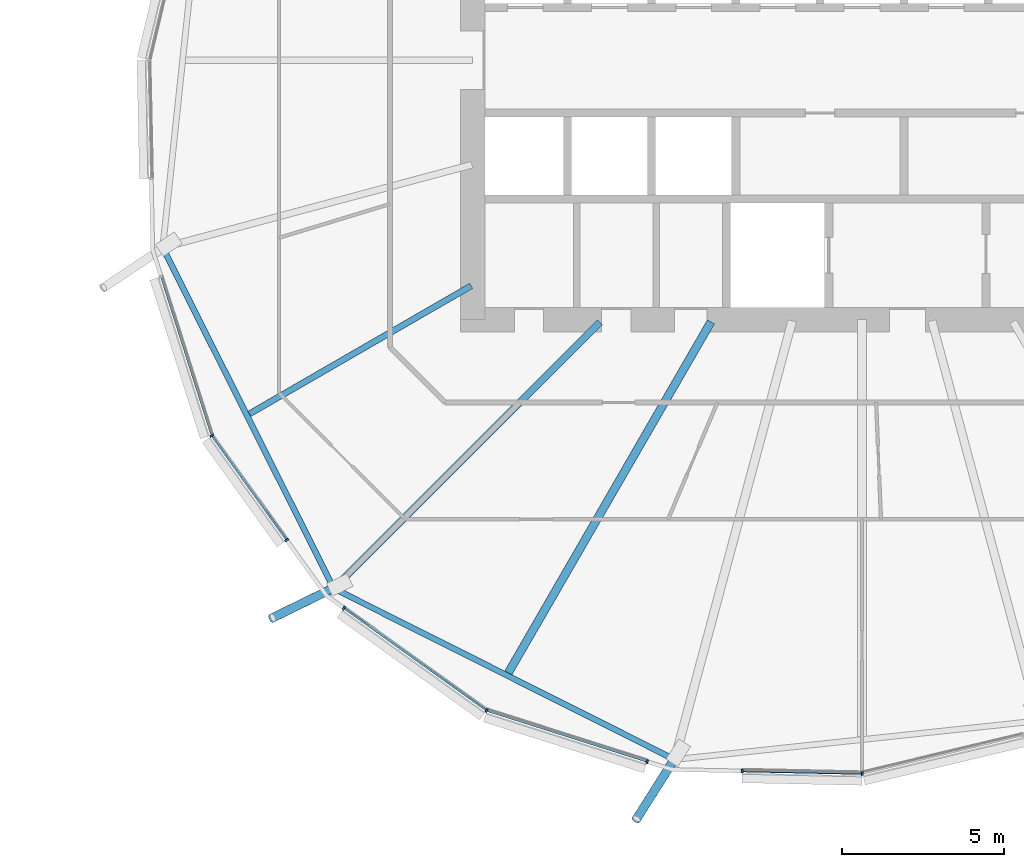
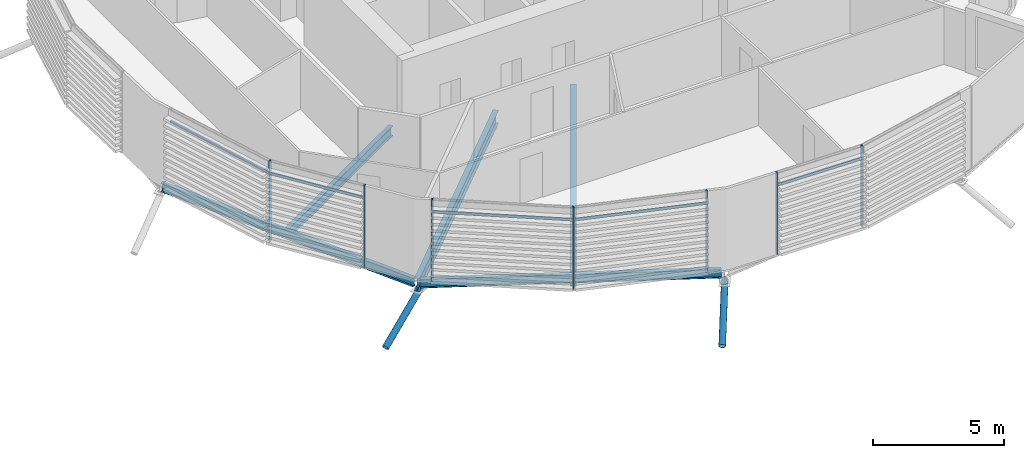
# One storey, part 12 of 38: 14 members, 5 beams, 1 element without a shape of its own.
"""IFC4 building model written with IfcOpenShell, lengths in metres."""

from ifc_helpers import new_model, si_unit, direction, frame, origin, origin_2d, place, context, subcontext, project, spatial, rectangle, hollow_circle, i_section, extrude, clip, halfspace, material, material_profile, profile_set, type_object, element, aggregate, save


model = new_model("IFC4")

# Units and contexts
model_context = context("Model", 3, precision=1e-05, world=origin(), true_north=direction((0.0, 1.0)))
body_context = subcontext(model_context, "Body", "Model", "MODEL_VIEW")
ifc_project = project(units=[si_unit("LENGTHUNIT", "METRE"), si_unit("AREAUNIT", "SQUARE_METRE"), si_unit("VOLUMEUNIT", "CUBIC_METRE"), si_unit("PLANEANGLEUNIT", "RADIAN"), si_unit("MASSUNIT", "GRAM", prefix="KILO")], contexts=[model_context])

# Site, building, storey
site_placement = place(None, origin())
site = spatial("IfcSite", under=ifc_project, at=site_placement, CompositionType="ELEMENT")
building_placement = place(site_placement, origin())
building = spatial("IfcBuilding", under=site, at=building_placement, Name="Rimbun Link Towers", CompositionType="ELEMENT")
storey_placement = place(building_placement, frame((0.0, 0.0, 108.199951171875)))
storey = spatial("IfcBuildingStorey", under=building, at=storey_placement, Name="L26", CompositionType="ELEMENT", Elevation=108.199951171875)

# Curtain wall, members
ifc_material_1 = material(Name="Aluminium 6063-T6 and low-iron glass", Category="aluminium")
curtain_wall_type = type_object("IfcCurtainWallType", Name="CW1-Z2 unitised vision wall (zone 2)", PredefinedType="NOTDEFINED", material=ifc_material_1)
curtain_wall_placement = place(storey_placement, origin())
curtain_wall = element("IfcCurtainWall", 1, at=curtain_wall_placement, inside=storey, type_object=curtain_wall_type, Name="CW1 L26 T2", PredefinedType="NOTDEFINED")
ifc_material_2 = material(Name="Aluminium 6063-T6", Category="aluminium")
ifc_material_profile_1 = material_profile(ifc_material_2, rectangle(XDim=0.1201171875, YDim=0.06005859375, at=origin_2d()), Name="MULLION 60X120")
ifc_profile_set_1 = profile_set([ifc_material_profile_1], Name="Aluminium 6063-T6")
member_type_1 = type_object("IfcMemberType", Name="CW1 mullion 60X120", PredefinedType="MULLION", material=ifc_profile_set_1)
member_1_placement = place(storey_placement, frame((11.70263671875, -11.5703125, 0.0), z_axis=(0.0, 0.0, 1.0), x_axis=(-0.893748959364, -0.448567495073, 0.0)))
member_1 = element("IfcMember", 2, at=member_1_placement, type_object=member_type_1, Name="CW1 mullion", PredefinedType="MULLION", context=body_context, shape_type="SweptSolid", body=[
    extrude(rectangle(XDim=0.1201171875, YDim=0.06005859375, at=origin_2d()), origin(), (0.0, 0.0, 1.0), 3.800048828125),
])
member_2_placement = place(storey_placement, frame((14.013671875, -14.7919921875, 0.0), z_axis=(0.0, 0.0, 1.0), x_axis=(-0.812467340473, -0.583006707221, 0.0)))
member_2 = element("IfcMember", 3, at=member_2_placement, type_object=member_type_1, Name="CW1 mullion", PredefinedType="MULLION", context=body_context, shape_type="SweptSolid", body=[
    extrude(rectangle(XDim=0.1201171875, YDim=0.06005859375, at=origin_2d()), origin(), (0.0, 0.0, 1.0), 3.800048828125),
])
member_3_placement = place(storey_placement, frame((20.1796875, -20.04736328125, 0.0), z_axis=(0.0, 0.0, 1.0), x_axis=(-0.448567495073, -0.893748959364, 0.0)))
member_3 = element("IfcMember", 4, at=member_3_placement, type_object=member_type_1, Name="CW1 mullion", PredefinedType="MULLION", context=body_context, shape_type="SweptSolid", body=[
    extrude(rectangle(XDim=0.1201171875, YDim=0.06005859375, at=origin_2d()), origin(), (0.0, 0.0, 1.0), 3.800048828125),
])
member_4_placement = place(storey_placement, frame((15.77978515625, -16.89111328125, 0.0), z_axis=(0.0, 0.0, 1.0), x_axis=(-0.583006707221, -0.812467340473, 0.0)))
member_4 = element("IfcMember", 5, at=member_4_placement, type_object=member_type_1, Name="CW1 mullion", PredefinedType="MULLION", context=body_context, shape_type="SweptSolid", body=[
    extrude(rectangle(XDim=0.1201171875, YDim=0.06005859375, at=origin_2d()), origin(), (0.0, 0.0, 1.0), 3.800048828125),
])
member_5_placement = place(storey_placement, frame((25.12646484375, -21.621337890625, 0.0), z_axis=(0.0, 0.0, 1.0), x_axis=(-0.303057366512, -0.952972314709, 0.0)))
member_5 = element("IfcMember", 6, at=member_5_placement, type_object=member_type_1, Name="CW1 mullion", PredefinedType="MULLION", context=body_context, shape_type="SweptSolid", body=[
    extrude(rectangle(XDim=0.1201171875, YDim=0.06005859375, at=origin_2d()), origin(), (0.0, 0.0, 1.0), 3.800048828125),
])
member_6_placement = place(storey_placement, frame((31.75634765625, -21.9892578125, 0.0), z_axis=(0.0, 0.0, 1.0), x_axis=(0.106632106355, -0.994298543645, 0.0)))
member_6 = element("IfcMember", 7, at=member_6_placement, type_object=member_type_1, Name="CW1 mullion", PredefinedType="MULLION", context=body_context, shape_type="SweptSolid", body=[
    extrude(rectangle(XDim=0.1201171875, YDim=0.06005859375, at=origin_2d()), origin(), (0.0, 0.0, 1.0), 3.800048828125),
])
member_7_placement = place(storey_placement, frame((28.05517578125, -21.911865234375, 0.0), z_axis=(0.0, 0.0, 1.0), x_axis=(-0.021063270517, -0.999778144708, 0.0)))
member_7 = element("IfcMember", 8, at=member_7_placement, type_object=member_type_1, Name="CW1 mullion", PredefinedType="MULLION", context=body_context, shape_type="SweptSolid", body=[
    extrude(rectangle(XDim=0.1201171875, YDim=0.06005859375, at=origin_2d()), origin(), (0.0, 0.0, 1.0), 3.800048828125),
])
ifc_material_3 = material(Name="Aluminium 6063-T6", Category="aluminium")
ifc_material_profile_2 = material_profile(ifc_material_3, rectangle(XDim=0.06005859375, YDim=0.1201171875, at=origin_2d()), Name="TRANSOM 60X120")
ifc_profile_set_2 = profile_set([ifc_material_profile_2], Name="Aluminium 6063-T6")
member_type_2 = type_object("IfcMemberType", Name="CW1 transom 60X120", PredefinedType="USERDEFINED", material=ifc_profile_set_2)
member_8_placement = place(storey_placement, frame((11.69189453125, -11.532470703125, 3.199951171875), z_axis=(-0.303026816006, 0.952982029621, 0.0), x_axis=(-0.952982029621, -0.303026816006, 0.0)))
member_8 = element("IfcMember", 9, at=member_8_placement, type_object=member_type_2, Name="CW1 transom", ObjectType="TRANSOM", PredefinedType="USERDEFINED", context=body_context, shape_type="SweptSolid", body=[
    extrude(rectangle(XDim=0.06005859375, YDim=0.1201171875, at=origin_2d()), origin(), (0.0, 0.0, 1.0), 5.07177734375),
])
member_9_placement = place(storey_placement, frame((13.997802734375, -14.7666015625, 3.199951171875), z_axis=(-0.583021204161, 0.812456937627, 0.0), x_axis=(-0.812456937627, -0.583021204161, 0.0)))
member_9 = element("IfcMember", 10, at=member_9_placement, type_object=member_type_2, Name="CW1 transom", ObjectType="TRANSOM", PredefinedType="USERDEFINED", context=body_context, shape_type="SweptSolid", body=[
    extrude(rectangle(XDim=0.06005859375, YDim=0.1201171875, at=origin_2d()), origin(), (0.0, 0.0, 1.0), 3.895751953125),
])
member_10_placement = place(storey_placement, frame((20.1484375, -20.0234375, 3.199951171875), z_axis=(-0.812466294381, 0.583008165033, 0.0), x_axis=(-0.583008165033, -0.812466294381, 0.0)))
member_10 = element("IfcMember", 11, at=member_10_placement, type_object=member_type_2, Name="CW1 transom", ObjectType="TRANSOM", PredefinedType="USERDEFINED", context=body_context, shape_type="SweptSolid", body=[
    extrude(rectangle(XDim=0.06005859375, YDim=0.1201171875, at=origin_2d()), origin(), (0.0, 0.0, 1.0), 5.345458984375),
])
member_11_placement = place(storey_placement, frame((25.098388671875, -21.6103515625, 3.199951171875), z_axis=(-0.952968340457, 0.303069863377, 0.0), x_axis=(-0.303069863377, -0.952968340457, 0.0)))
member_11 = element("IfcMember", 12, at=member_11_placement, type_object=member_type_2, Name="CW1 transom", ObjectType="TRANSOM", PredefinedType="USERDEFINED", context=body_context, shape_type="SweptSolid", body=[
    extrude(rectangle(XDim=0.06005859375, YDim=0.1201171875, at=origin_2d()), origin(), (0.0, 0.0, 1.0), 5.121826171875),
])
member_12_placement = place(storey_placement, frame((31.71875, -21.987060546875, 3.199951171875), z_axis=(-0.999777513645, 0.021093202935, 0.0), x_axis=(-0.021093202935, -0.999777513645, 0.0)))
member_12 = element("IfcMember", 13, at=member_12_placement, type_object=member_type_2, Name="CW1 transom", ObjectType="TRANSOM", PredefinedType="USERDEFINED", context=body_context, shape_type="SweptSolid", body=[
    extrude(rectangle(XDim=0.06005859375, YDim=0.1201171875, at=origin_2d()), origin(), (0.0, 0.0, 1.0), 3.63427734375),
])
aggregate(curtain_wall, [member_1, member_2, member_3, member_4, member_5, member_6, member_7, member_8, member_9, member_10, member_11, member_12])

# Members
ifc_material_4 = material(Name="Steel S355J2H", Category="steel")
ifc_material_profile_3 = material_profile(ifc_material_4, hollow_circle(Radius=0.136474609375, WallThickness=0.012451171875, at=origin_2d()), Name="CHS 273x12.5")
ifc_profile_set_3 = profile_set([ifc_material_profile_3], Name="Steel S355J2H")
member_type_3 = type_object("IfcMemberType", Name="Floor edge link CHS 273x12.5", PredefinedType="BRACE", material=ifc_profile_set_3)
member_13_placement = place(storey_placement, frame((15.501220703125, -16.248779296875, -0.8798828125), z_axis=(-0.775144511565, -0.379410297997, -0.505172061742), x_axis=(0.439631633176, -0.898178171139, 0.0)))
element("IfcMember", 14, at=member_13_placement, inside=storey, type_object=member_type_3, Name="Floor edge link T2 L26 12", PredefinedType="BRACE", context=body_context, shape_type="Clipping", body=[
    clip(extrude(hollow_circle(Radius=0.136474609375, WallThickness=0.012451171875, at=origin_2d()), frame((0.0, 0.0, -0.486083984375)), (0.0, 0.0, 1.0), 3.013671875), halfspace(frame((0.0, 0.0, -0.228271484375), z_axis=(0.0, 0.863018648718, -0.505172061742)), False)),
])
member_14_placement = place(storey_placement, frame((25.986572265625, -21.509521484375, -1.042236328125), z_axis=(-0.470752467397, -0.745096385632, -0.472465332652), x_axis=(0.845404226907, -0.534127038379, 0.0)))
element("IfcMember", 15, at=member_14_placement, inside=storey, type_object=member_type_3, Name="Floor edge link T2 L26 14", PredefinedType="BRACE", context=body_context, shape_type="Clipping", body=[
    clip(extrude(hollow_circle(Radius=0.136474609375, WallThickness=0.012451171875, at=origin_2d()), frame((0.0, 0.0, -0.5302734375)), (0.0, 0.0, 1.0), 3.095947265625), halfspace(frame((0.0, 0.0, -0.25), z_axis=(0.0, 0.881349255087, -0.472465332652)), False)),
])

# Beams
ifc_material_5 = material(Name="Steel S355J2", Category="steel")
ifc_material_profile_4 = material_profile(ifc_material_5, i_section(OverallWidth=0.177978515625, OverallDepth=0.406494140625, WebThickness=0.0078125, FlangeThickness=0.0126953125, at=origin_2d()), Name="UB 406x178x60")
ifc_profile_set_4 = profile_set([ifc_material_profile_4], Name="Steel S355J2")
beam_type_1 = type_object("IfcBeamType", Name="UB 406x178x60", PredefinedType="BEAM", material=ifc_profile_set_4)
beam_1_placement = place(storey_placement, frame((10.240478515625, -5.872802734375, -0.363037109375), z_axis=(0.448568465708, -0.893748472207, 0.0), x_axis=(0.893748472207, 0.448568465708, 0.0)))
element("IfcBeam", 16, at=beam_1_placement, inside=storey, type_object=beam_type_1, Name="Edge beam T2 L26 10-12", PredefinedType="BEAM", context=body_context, shape_type="SweptSolid", body=[
    extrude(i_section(OverallWidth=0.177978515625, OverallDepth=0.406494140625, WebThickness=0.0078125, FlangeThickness=0.0126953125, at=origin_2d()), origin(), (0.0, 0.0, 1.0), 11.528076171875),
])
beam_2_placement = place(storey_placement, frame((15.573974609375, -16.33837890625, -0.363037109375), z_axis=(0.893751001661, -0.448563425872, 0.0), x_axis=(0.448563425872, 0.893751001661, 0.0)))
element("IfcBeam", 17, at=beam_2_placement, inside=storey, type_object=beam_type_1, Name="Edge beam T2 L26 12-14", PredefinedType="BEAM", context=body_context, shape_type="SweptSolid", body=[
    extrude(i_section(OverallWidth=0.177978515625, OverallDepth=0.406494140625, WebThickness=0.0078125, FlangeThickness=0.0126953125, at=origin_2d()), origin(), (0.0, 0.0, 1.0), 11.498779296875),
])
ifc_material_6 = material(Name="Steel S355J2", Category="steel")
ifc_material_profile_5 = material_profile(ifc_material_6, i_section(OverallWidth=0.18994140625, OverallDepth=0.453369140625, WebThickness=0.008544921875, FlangeThickness=0.0126953125, at=origin_2d()), Name="UB 457x191x67")
ifc_profile_set_5 = profile_set([ifc_material_profile_5], Name="Steel S355J2")
beam_type_2 = type_object("IfcBeamType", Name="UB 457x191x67", PredefinedType="BEAM", material=ifc_profile_set_5)
beam_3_placement = place(storey_placement, frame((19.70166015625, -6.9560546875, -0.38671875), z_axis=(-0.866022826155, -0.500004464558, 0.0), x_axis=(0.500004464558, -0.866022826155, 0.0)))
element("IfcBeam", 18, at=beam_3_placement, inside=storey, type_object=beam_type_2, Name="Radial beam T2 L26 11", PredefinedType="BEAM", context=body_context, shape_type="SweptSolid", body=[
    extrude(i_section(OverallWidth=0.18994140625, OverallDepth=0.453369140625, WebThickness=0.008544921875, FlangeThickness=0.0126953125, at=origin_2d()), origin(), (0.0, 0.0, 1.0), 7.8935546875),
])
ifc_material_7 = material(Name="Steel S355J2", Category="steel")
ifc_material_profile_6 = material_profile(ifc_material_7, i_section(OverallWidth=0.2275390625, OverallDepth=0.6025390625, WebThickness=0.010498046875, FlangeThickness=0.014892578125, at=origin_2d()), Name="UB 610x229x101")
ifc_profile_set_6 = profile_set([ifc_material_profile_6], Name="Steel S355J2")
beam_type_3 = type_object("IfcBeamType", Name="UB 610x229x101", PredefinedType="BEAM", material=ifc_profile_set_6)
beam_4_placement = place(storey_placement, frame((23.668701171875, -8.081298828125, -0.461181640625), z_axis=(-0.707106781187, -0.707106781187, 0.0), x_axis=(0.707106781187, -0.707106781187, 0.0)))
element("IfcBeam", 19, at=beam_4_placement, inside=storey, type_object=beam_type_3, Name="Radial beam T2 L26 12", PredefinedType="BEAM", context=body_context, shape_type="SweptSolid", body=[
    extrude(i_section(OverallWidth=0.2275390625, OverallDepth=0.6025390625, WebThickness=0.010498046875, FlangeThickness=0.014892578125, at=origin_2d()), origin(), (0.0, 0.0, 1.0), 11.6005859375),
])
ifc_material_8 = material(Name="Steel S355J2", Category="steel")
ifc_material_profile_7 = material_profile(ifc_material_8, i_section(OverallWidth=0.253662109375, OverallDepth=0.68359375, WebThickness=0.012451171875, FlangeThickness=0.01904296875, at=origin_2d()), Name="UB 686x254x140")
ifc_profile_set_7 = profile_set([ifc_material_profile_7], Name="Steel S355J2")
beam_type_4 = type_object("IfcBeamType", Name="UB 686x254x140", PredefinedType="BEAM", material=ifc_profile_set_7)
beam_5_placement = place(storey_placement, frame((27.093994140625, -8.064208984375, -0.501708984375), z_axis=(-0.499991403274, -0.86603036705, 0.0), x_axis=(0.86603036705, -0.499991403274, 0.0)))
element("IfcBeam", 20, at=beam_5_placement, inside=storey, type_object=beam_type_4, Name="Radial beam T2 L26 13", PredefinedType="BEAM", context=body_context, shape_type="SweptSolid", body=[
    extrude(i_section(OverallWidth=0.253662109375, OverallDepth=0.68359375, WebThickness=0.012451171875, FlangeThickness=0.01904296875, at=origin_2d()), origin(), (0.0, 0.0, 1.0), 12.493896484375),
])

save(model, "model.ifc")
